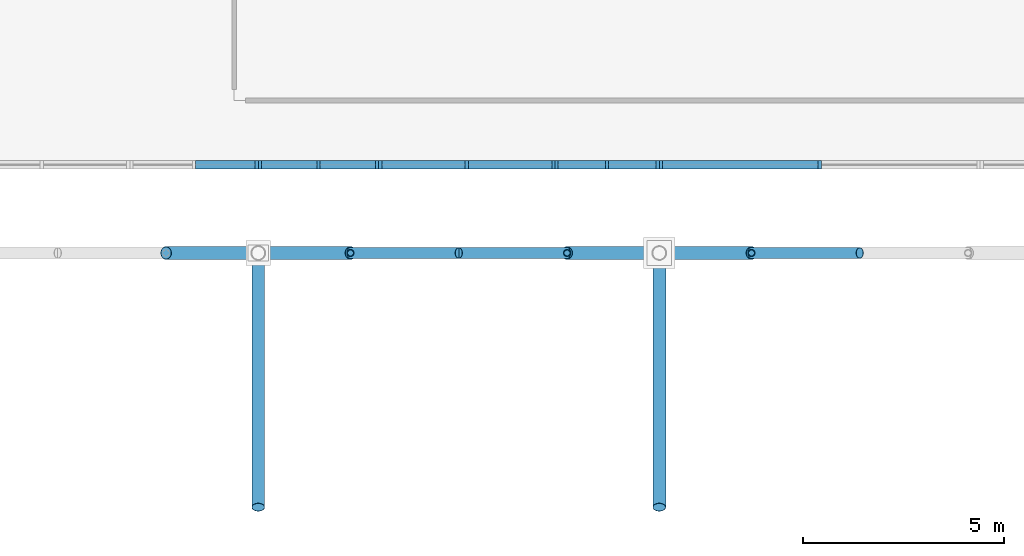
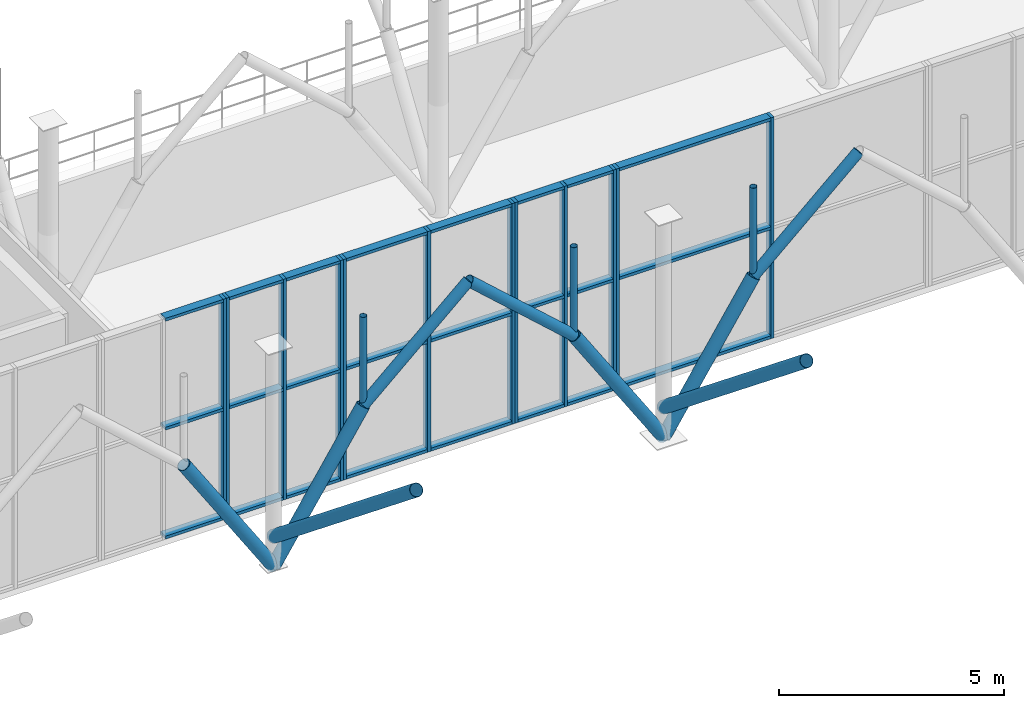
# One storey, part 35 of 109: 48 members, 5 elements without a shape of their own.
"""IFC4 building model written with IfcOpenShell, lengths in metres."""

from ifc_helpers import new_model, si_unit, derived_unit, direction, frame, origin, origin_2d_with_axis, place, context, subcontext, project, spatial, rectangle, hollow_circle, extrude, material, material_profile, profile_set, type_object, element, aggregate, save


model = new_model("IFC4")

# Units and contexts
model_context = context("Model", 3, precision=1e-05, world=origin(), true_north=direction((0.0, 1.0)))
body_context = subcontext(model_context, "Body", "Model", "MODEL_VIEW")
ifc_project = project(units=[si_unit("LENGTHUNIT", "METRE"), si_unit("AREAUNIT", "SQUARE_METRE"), si_unit("VOLUMEUNIT", "CUBIC_METRE"), si_unit("PLANEANGLEUNIT", "RADIAN"), si_unit("MASSUNIT", "GRAM", prefix="KILO"), derived_unit("THERMALTRANSMITTANCEUNIT", [(si_unit("POWERUNIT", "WATT"), 1), (si_unit("LENGTHUNIT", "METRE"), -2), (si_unit("THERMODYNAMICTEMPERATUREUNIT", "KELVIN"), -1)])], contexts=[model_context])

# Site, building, storey
site_placement = place(None, origin())
site = spatial("IfcSite", under=ifc_project, at=site_placement, CompositionType="ELEMENT")
building_placement = place(site_placement, origin())
building = spatial("IfcBuilding", under=site, at=building_placement, Name="Cinnabar Yard Market Hall", CompositionType="ELEMENT")
storey_placement = place(building_placement, frame((0.0, 0.0, 8.39990234375)))
storey = spatial("IfcBuildingStorey", under=building, at=storey_placement, Name="L02", CompositionType="ELEMENT", Elevation=8.39990234375)

# Curtain wall, member
ifc_material_1 = material(Name="Anodised bronze aluminium and low-E glass", Category="aluminium")
curtain_wall_type_1 = type_object("IfcCurtainWallType", Name="CW-CWH032x60", PredefinedType="NOTDEFINED", material=ifc_material_1)
curtain_wall_1_placement = place(storey_placement, origin())
curtain_wall_1 = element("IfcCurtainWall", 1, at=curtain_wall_1_placement, inside=storey, type_object=curtain_wall_type_1, Name="Market Hall South Upper Clerestory B1B", PredefinedType="NOTDEFINED")
ifc_material_2 = material(Name="Anodised bronze aluminium", Category="aluminium")
ifc_material_profile_1 = material_profile(ifc_material_2, rectangle(XDim=0.219970703125, YDim=0.080078125, at=origin_2d_with_axis()), Name="MUL-CWH")
ifc_profile_set_1 = profile_set([ifc_material_profile_1], Name="Anodised bronze aluminium")
member_type_1 = type_object("IfcMemberType", Name="CWM-CWH", PredefinedType="MULLION", material=ifc_profile_set_1)
member_1_placement = place(storey_placement, frame((95.9599609375, 16.199951171875, 0.0), z_axis=(0.0, 0.0, 1.0), x_axis=(0.0, 1.0, 0.0)))
member_1 = element("IfcMember", 2, at=member_1_placement, type_object=member_type_1, Name="CWH032x60 mullion 3", PredefinedType="MULLION", context=body_context, shape_type="SweptSolid", body=[
    extrude(rectangle(XDim=0.219970703125, YDim=0.080078125, at=origin_2d_with_axis()), origin(), (0.0, 0.0, 1.0), 5.97998046875),
])

# Curtain wall, members
curtain_wall_type_2 = type_object("IfcCurtainWallType", Name="CW-CWH030x60", PredefinedType="NOTDEFINED", material=ifc_material_1)
curtain_wall_2_placement = place(storey_placement, origin())
curtain_wall_2 = element("IfcCurtainWall", 3, at=curtain_wall_2_placement, inside=storey, type_object=curtain_wall_type_2, Name="Market Hall South Upper Clerestory B2A", PredefinedType="NOTDEFINED")
member_2_placement = place(storey_placement, frame((96.0400390625, 16.199951171875, 0.0), z_axis=(0.0, 0.0, 1.0), x_axis=(0.0, 1.0, 0.0)))
member_2 = element("IfcMember", 4, at=member_2_placement, type_object=member_type_1, Name="CWH030x60 mullion 1", PredefinedType="MULLION", context=body_context, shape_type="SweptSolid", body=[
    extrude(rectangle(XDim=0.219970703125, YDim=0.080078125, at=origin_2d_with_axis()), origin(), (0.0, 0.0, 1.0), 5.97998046875),
])
member_3_placement = place(storey_placement, frame((97.5, 16.199951171875, 0.0), z_axis=(0.0, 0.0, 1.0), x_axis=(0.0, 1.0, 0.0)))
member_3 = element("IfcMember", 5, at=member_3_placement, type_object=member_type_1, Name="CWH030x60 mullion 2", PredefinedType="MULLION", context=body_context, shape_type="SweptSolid", body=[
    extrude(rectangle(XDim=0.219970703125, YDim=0.080078125, at=origin_2d_with_axis()), origin(), (0.0, 0.0, 1.0), 5.97998046875),
])
member_4_placement = place(storey_placement, frame((98.9599609375, 16.199951171875, 0.0), z_axis=(0.0, 0.0, 1.0), x_axis=(0.0, 1.0, 0.0)))
member_4 = element("IfcMember", 6, at=member_4_placement, type_object=member_type_1, Name="CWH030x60 mullion 3", PredefinedType="MULLION", context=body_context, shape_type="SweptSolid", body=[
    extrude(rectangle(XDim=0.219970703125, YDim=0.080078125, at=origin_2d_with_axis()), origin(), (0.0, 0.0, 1.0), 5.97998046875),
])

curtain_wall_type_3 = type_object("IfcCurtainWallType", Name="CW-CWH044x60", PredefinedType="NOTDEFINED", material=ifc_material_1)
curtain_wall_3_placement = place(storey_placement, origin())
curtain_wall_3 = element("IfcCurtainWall", 7, at=curtain_wall_3_placement, inside=storey, type_object=curtain_wall_type_3, Name="Market Hall South Upper Clerestory PTB2", PredefinedType="NOTDEFINED")
member_5_placement = place(storey_placement, frame((99.0400390625, 16.199951171875, 0.0), z_axis=(0.0, 0.0, 1.0), x_axis=(0.0, 1.0, 0.0)))
member_5 = element("IfcMember", 8, at=member_5_placement, type_object=member_type_1, Name="CWH044x60 mullion 1", PredefinedType="MULLION", context=body_context, shape_type="SweptSolid", body=[
    extrude(rectangle(XDim=0.219970703125, YDim=0.080078125, at=origin_2d_with_axis()), origin(), (0.0, 0.0, 1.0), 5.97998046875),
])
member_6_placement = place(storey_placement, frame((101.199951171875, 16.199951171875, 0.0), z_axis=(0.0, 0.0, 1.0), x_axis=(0.0, 1.0, 0.0)))
member_6 = element("IfcMember", 9, at=member_6_placement, type_object=member_type_1, Name="CWH044x60 mullion 2", PredefinedType="MULLION", context=body_context, shape_type="SweptSolid", body=[
    extrude(rectangle(XDim=0.219970703125, YDim=0.080078125, at=origin_2d_with_axis()), origin(), (0.0, 0.0, 1.0), 5.97998046875),
])
member_7_placement = place(storey_placement, frame((103.360107421875, 16.199951171875, 0.0), z_axis=(0.0, 0.0, 1.0), x_axis=(0.0, 1.0, 0.0)))
member_7 = element("IfcMember", 10, at=member_7_placement, type_object=member_type_1, Name="CWH044x60 mullion 3", PredefinedType="MULLION", context=body_context, shape_type="SweptSolid", body=[
    extrude(rectangle(XDim=0.219970703125, YDim=0.080078125, at=origin_2d_with_axis()), origin(), (0.0, 0.0, 1.0), 5.97998046875),
])

curtain_wall_type_4 = type_object("IfcCurtainWallType", Name="CW-CWH026x60", PredefinedType="NOTDEFINED", material=ifc_material_1)
curtain_wall_4_placement = place(storey_placement, origin())
curtain_wall_4 = element("IfcCurtainWall", 11, at=curtain_wall_4_placement, inside=storey, type_object=curtain_wall_type_4, Name="Market Hall South Upper Clerestory B2B", PredefinedType="NOTDEFINED")
member_8_placement = place(storey_placement, frame((103.43994140625, 16.199951171875, 0.0), z_axis=(0.0, 0.0, 1.0), x_axis=(0.0, 1.0, 0.0)))
member_8 = element("IfcMember", 12, at=member_8_placement, type_object=member_type_1, Name="CWH026x60 mullion 1", PredefinedType="MULLION", context=body_context, shape_type="SweptSolid", body=[
    extrude(rectangle(XDim=0.219970703125, YDim=0.080078125, at=origin_2d_with_axis()), origin(), (0.0, 0.0, 1.0), 5.97998046875),
])
member_9_placement = place(storey_placement, frame((104.699951171875, 16.199951171875, 0.0), z_axis=(0.0, 0.0, 1.0), x_axis=(0.0, 1.0, 0.0)))
member_9 = element("IfcMember", 13, at=member_9_placement, type_object=member_type_1, Name="CWH026x60 mullion 2", PredefinedType="MULLION", context=body_context, shape_type="SweptSolid", body=[
    extrude(rectangle(XDim=0.219970703125, YDim=0.080078125, at=origin_2d_with_axis()), origin(), (0.0, 0.0, 1.0), 5.97998046875),
])
member_10_placement = place(storey_placement, frame((105.9599609375, 16.199951171875, 0.0), z_axis=(0.0, 0.0, 1.0), x_axis=(0.0, 1.0, 0.0)))
member_10 = element("IfcMember", 14, at=member_10_placement, type_object=member_type_1, Name="CWH026x60 mullion 3", PredefinedType="MULLION", context=body_context, shape_type="SweptSolid", body=[
    extrude(rectangle(XDim=0.219970703125, YDim=0.080078125, at=origin_2d_with_axis()), origin(), (0.0, 0.0, 1.0), 5.97998046875),
])

curtain_wall_type_5 = type_object("IfcCurtainWallType", Name="CW-CWH080x60", PredefinedType="NOTDEFINED", material=ifc_material_1)
curtain_wall_5_placement = place(storey_placement, origin())
curtain_wall_5 = element("IfcCurtainWall", 15, at=curtain_wall_5_placement, inside=storey, type_object=curtain_wall_type_5, Name="Market Hall South Upper Clerestory B3", PredefinedType="NOTDEFINED")
member_11_placement = place(storey_placement, frame((106.0400390625, 16.199951171875, 0.0), z_axis=(0.0, 0.0, 1.0), x_axis=(0.0, 1.0, 0.0)))
member_11 = element("IfcMember", 16, at=member_11_placement, type_object=member_type_1, Name="CWH080x60 mullion 1", PredefinedType="MULLION", context=body_context, shape_type="SweptSolid", body=[
    extrude(rectangle(XDim=0.219970703125, YDim=0.080078125, at=origin_2d_with_axis()), origin(), (0.0, 0.0, 1.0), 5.97998046875),
])
member_12_placement = place(storey_placement, frame((110.0, 16.199951171875, 0.0), z_axis=(0.0, 0.0, 1.0), x_axis=(0.0, 1.0, 0.0)))
member_12 = element("IfcMember", 17, at=member_12_placement, type_object=member_type_1, Name="CWH080x60 mullion 2", PredefinedType="MULLION", context=body_context, shape_type="SweptSolid", body=[
    extrude(rectangle(XDim=0.219970703125, YDim=0.080078125, at=origin_2d_with_axis()), origin(), (0.0, 0.0, 1.0), 5.97998046875),
])

# Member
ifc_material_profile_2 = material_profile(ifc_material_2, rectangle(XDim=0.219970703125, YDim=0.080078125, at=origin_2d_with_axis()), Name="TRN-CWH")
ifc_profile_set_2 = profile_set([ifc_material_profile_2], Name="Anodised bronze aluminium")
member_type_2 = type_object("IfcMemberType", Name="CWT-CWH", PredefinedType="USERDEFINED", material=ifc_profile_set_2)
member_13_placement = place(storey_placement, frame((94.43994140625, 16.199951171875, 0.0400390625), z_axis=(1.0, 0.0, 0.0), x_axis=(0.0, 1.0, 0.0)))
member_13 = element("IfcMember", 18, at=member_13_placement, type_object=member_type_2, Name="CWH032x60 transom 2.1", ObjectType="TRANSOM", PredefinedType="USERDEFINED", context=body_context, shape_type="SweptSolid", body=[
    extrude(rectangle(XDim=0.219970703125, YDim=0.080078125, at=origin_2d_with_axis()), origin(), (0.0, 0.0, 1.0), 1.47998046875),
])

member_14_placement = place(storey_placement, frame((94.43994140625, 16.199951171875, 2.989990234375), z_axis=(1.0, 0.0, 0.0), x_axis=(0.0, 1.0, 0.0)))
member_14 = element("IfcMember", 19, at=member_14_placement, type_object=member_type_2, Name="CWH032x60 transom 2.2", ObjectType="TRANSOM", PredefinedType="USERDEFINED", context=body_context, shape_type="SweptSolid", body=[
    extrude(rectangle(XDim=0.219970703125, YDim=0.080078125, at=origin_2d_with_axis()), origin(), (0.0, 0.0, 1.0), 1.47998046875),
])

member_15_placement = place(storey_placement, frame((94.43994140625, 16.199951171875, 5.940185546875), z_axis=(1.0, 0.0, 0.0), x_axis=(0.0, 1.0, 0.0)))
member_15 = element("IfcMember", 20, at=member_15_placement, type_object=member_type_2, Name="CWH032x60 transom 2.3", ObjectType="TRANSOM", PredefinedType="USERDEFINED", context=body_context, shape_type="SweptSolid", body=[
    extrude(rectangle(XDim=0.219970703125, YDim=0.080078125, at=origin_2d_with_axis()), origin(), (0.0, 0.0, 1.0), 1.47998046875),
])

aggregate(curtain_wall_1, [member_1, member_13, member_14, member_15])

member_16_placement = place(storey_placement, frame((96.080078125, 16.199951171875, 0.0400390625), z_axis=(1.0, 0.0, 0.0), x_axis=(0.0, 1.0, 0.0)))
member_16 = element("IfcMember", 21, at=member_16_placement, type_object=member_type_2, Name="CWH030x60 transom 1.1", ObjectType="TRANSOM", PredefinedType="USERDEFINED", context=body_context, shape_type="SweptSolid", body=[
    extrude(rectangle(XDim=0.219970703125, YDim=0.080078125, at=origin_2d_with_axis()), origin(), (0.0, 0.0, 1.0), 1.3798828125),
])

member_17_placement = place(storey_placement, frame((96.080078125, 16.199951171875, 2.989990234375), z_axis=(1.0, 0.0, 0.0), x_axis=(0.0, 1.0, 0.0)))
member_17 = element("IfcMember", 22, at=member_17_placement, type_object=member_type_2, Name="CWH030x60 transom 1.2", ObjectType="TRANSOM", PredefinedType="USERDEFINED", context=body_context, shape_type="SweptSolid", body=[
    extrude(rectangle(XDim=0.219970703125, YDim=0.080078125, at=origin_2d_with_axis()), origin(), (0.0, 0.0, 1.0), 1.3798828125),
])

member_18_placement = place(storey_placement, frame((96.080078125, 16.199951171875, 5.940185546875), z_axis=(1.0, 0.0, 0.0), x_axis=(0.0, 1.0, 0.0)))
member_18 = element("IfcMember", 23, at=member_18_placement, type_object=member_type_2, Name="CWH030x60 transom 1.3", ObjectType="TRANSOM", PredefinedType="USERDEFINED", context=body_context, shape_type="SweptSolid", body=[
    extrude(rectangle(XDim=0.219970703125, YDim=0.080078125, at=origin_2d_with_axis()), origin(), (0.0, 0.0, 1.0), 1.3798828125),
])

member_19_placement = place(storey_placement, frame((97.5400390625, 16.199951171875, 0.0400390625), z_axis=(1.0, 0.0, 0.0), x_axis=(0.0, 1.0, 0.0)))
member_19 = element("IfcMember", 24, at=member_19_placement, type_object=member_type_2, Name="CWH030x60 transom 2.1", ObjectType="TRANSOM", PredefinedType="USERDEFINED", context=body_context, shape_type="SweptSolid", body=[
    extrude(rectangle(XDim=0.219970703125, YDim=0.080078125, at=origin_2d_with_axis()), origin(), (0.0, 0.0, 1.0), 1.3798828125),
])

member_20_placement = place(storey_placement, frame((97.5400390625, 16.199951171875, 2.989990234375), z_axis=(1.0, 0.0, 0.0), x_axis=(0.0, 1.0, 0.0)))
member_20 = element("IfcMember", 25, at=member_20_placement, type_object=member_type_2, Name="CWH030x60 transom 2.2", ObjectType="TRANSOM", PredefinedType="USERDEFINED", context=body_context, shape_type="SweptSolid", body=[
    extrude(rectangle(XDim=0.219970703125, YDim=0.080078125, at=origin_2d_with_axis()), origin(), (0.0, 0.0, 1.0), 1.3798828125),
])

member_21_placement = place(storey_placement, frame((97.5400390625, 16.199951171875, 5.940185546875), z_axis=(1.0, 0.0, 0.0), x_axis=(0.0, 1.0, 0.0)))
member_21 = element("IfcMember", 26, at=member_21_placement, type_object=member_type_2, Name="CWH030x60 transom 2.3", ObjectType="TRANSOM", PredefinedType="USERDEFINED", context=body_context, shape_type="SweptSolid", body=[
    extrude(rectangle(XDim=0.219970703125, YDim=0.080078125, at=origin_2d_with_axis()), origin(), (0.0, 0.0, 1.0), 1.3798828125),
])

aggregate(curtain_wall_2, [member_2, member_3, member_4, member_16, member_17, member_18, member_19, member_20, member_21])

member_22_placement = place(storey_placement, frame((99.080078125, 16.199951171875, 0.0400390625), z_axis=(1.0, 0.0, 0.0), x_axis=(0.0, 1.0, 0.0)))
member_22 = element("IfcMember", 27, at=member_22_placement, type_object=member_type_2, Name="CWH044x60 transom 1.1", ObjectType="TRANSOM", PredefinedType="USERDEFINED", context=body_context, shape_type="SweptSolid", body=[
    extrude(rectangle(XDim=0.219970703125, YDim=0.080078125, at=origin_2d_with_axis()), origin(), (0.0, 0.0, 1.0), 2.079833984375),
])

member_23_placement = place(storey_placement, frame((99.080078125, 16.199951171875, 2.989990234375), z_axis=(1.0, 0.0, 0.0), x_axis=(0.0, 1.0, 0.0)))
member_23 = element("IfcMember", 28, at=member_23_placement, type_object=member_type_2, Name="CWH044x60 transom 1.2", ObjectType="TRANSOM", PredefinedType="USERDEFINED", context=body_context, shape_type="SweptSolid", body=[
    extrude(rectangle(XDim=0.219970703125, YDim=0.080078125, at=origin_2d_with_axis()), origin(), (0.0, 0.0, 1.0), 2.079833984375),
])

member_24_placement = place(storey_placement, frame((99.080078125, 16.199951171875, 5.940185546875), z_axis=(1.0, 0.0, 0.0), x_axis=(0.0, 1.0, 0.0)))
member_24 = element("IfcMember", 29, at=member_24_placement, type_object=member_type_2, Name="CWH044x60 transom 1.3", ObjectType="TRANSOM", PredefinedType="USERDEFINED", context=body_context, shape_type="SweptSolid", body=[
    extrude(rectangle(XDim=0.219970703125, YDim=0.080078125, at=origin_2d_with_axis()), origin(), (0.0, 0.0, 1.0), 2.079833984375),
])

member_25_placement = place(storey_placement, frame((101.239990234375, 16.199951171875, 0.0400390625), z_axis=(1.0, 0.0, 0.0), x_axis=(0.0, 1.0, 0.0)))
member_25 = element("IfcMember", 30, at=member_25_placement, type_object=member_type_2, Name="CWH044x60 transom 2.1", ObjectType="TRANSOM", PredefinedType="USERDEFINED", context=body_context, shape_type="SweptSolid", body=[
    extrude(rectangle(XDim=0.219970703125, YDim=0.080078125, at=origin_2d_with_axis()), origin(), (0.0, 0.0, 1.0), 2.080078125),
])

member_26_placement = place(storey_placement, frame((101.239990234375, 16.199951171875, 2.989990234375), z_axis=(1.0, 0.0, 0.0), x_axis=(0.0, 1.0, 0.0)))
member_26 = element("IfcMember", 31, at=member_26_placement, type_object=member_type_2, Name="CWH044x60 transom 2.2", ObjectType="TRANSOM", PredefinedType="USERDEFINED", context=body_context, shape_type="SweptSolid", body=[
    extrude(rectangle(XDim=0.219970703125, YDim=0.080078125, at=origin_2d_with_axis()), origin(), (0.0, 0.0, 1.0), 2.080078125),
])

member_27_placement = place(storey_placement, frame((101.239990234375, 16.199951171875, 5.940185546875), z_axis=(1.0, 0.0, 0.0), x_axis=(0.0, 1.0, 0.0)))
member_27 = element("IfcMember", 32, at=member_27_placement, type_object=member_type_2, Name="CWH044x60 transom 2.3", ObjectType="TRANSOM", PredefinedType="USERDEFINED", context=body_context, shape_type="SweptSolid", body=[
    extrude(rectangle(XDim=0.219970703125, YDim=0.080078125, at=origin_2d_with_axis()), origin(), (0.0, 0.0, 1.0), 2.080078125),
])

aggregate(curtain_wall_3, [member_5, member_6, member_7, member_22, member_23, member_24, member_25, member_26, member_27])

member_28_placement = place(storey_placement, frame((103.47998046875, 16.199951171875, 0.0400390625), z_axis=(1.0, 0.0, 0.0), x_axis=(0.0, 1.0, 0.0)))
member_28 = element("IfcMember", 33, at=member_28_placement, type_object=member_type_2, Name="CWH026x60 transom 1.1", ObjectType="TRANSOM", PredefinedType="USERDEFINED", context=body_context, shape_type="SweptSolid", body=[
    extrude(rectangle(XDim=0.219970703125, YDim=0.080078125, at=origin_2d_with_axis()), origin(), (0.0, 0.0, 1.0), 1.179931640625),
])

member_29_placement = place(storey_placement, frame((103.47998046875, 16.199951171875, 2.989990234375), z_axis=(1.0, 0.0, 0.0), x_axis=(0.0, 1.0, 0.0)))
member_29 = element("IfcMember", 34, at=member_29_placement, type_object=member_type_2, Name="CWH026x60 transom 1.2", ObjectType="TRANSOM", PredefinedType="USERDEFINED", context=body_context, shape_type="SweptSolid", body=[
    extrude(rectangle(XDim=0.219970703125, YDim=0.080078125, at=origin_2d_with_axis()), origin(), (0.0, 0.0, 1.0), 1.179931640625),
])

member_30_placement = place(storey_placement, frame((103.47998046875, 16.199951171875, 5.940185546875), z_axis=(1.0, 0.0, 0.0), x_axis=(0.0, 1.0, 0.0)))
member_30 = element("IfcMember", 35, at=member_30_placement, type_object=member_type_2, Name="CWH026x60 transom 1.3", ObjectType="TRANSOM", PredefinedType="USERDEFINED", context=body_context, shape_type="SweptSolid", body=[
    extrude(rectangle(XDim=0.219970703125, YDim=0.080078125, at=origin_2d_with_axis()), origin(), (0.0, 0.0, 1.0), 1.179931640625),
])

member_31_placement = place(storey_placement, frame((104.739990234375, 16.199951171875, 0.0400390625), z_axis=(1.0, 0.0, 0.0), x_axis=(0.0, 1.0, 0.0)))
member_31 = element("IfcMember", 36, at=member_31_placement, type_object=member_type_2, Name="CWH026x60 transom 2.1", ObjectType="TRANSOM", PredefinedType="USERDEFINED", context=body_context, shape_type="SweptSolid", body=[
    extrude(rectangle(XDim=0.219970703125, YDim=0.080078125, at=origin_2d_with_axis()), origin(), (0.0, 0.0, 1.0), 1.179931640625),
])

member_32_placement = place(storey_placement, frame((104.739990234375, 16.199951171875, 2.989990234375), z_axis=(1.0, 0.0, 0.0), x_axis=(0.0, 1.0, 0.0)))
member_32 = element("IfcMember", 37, at=member_32_placement, type_object=member_type_2, Name="CWH026x60 transom 2.2", ObjectType="TRANSOM", PredefinedType="USERDEFINED", context=body_context, shape_type="SweptSolid", body=[
    extrude(rectangle(XDim=0.219970703125, YDim=0.080078125, at=origin_2d_with_axis()), origin(), (0.0, 0.0, 1.0), 1.179931640625),
])

member_33_placement = place(storey_placement, frame((104.739990234375, 16.199951171875, 5.940185546875), z_axis=(1.0, 0.0, 0.0), x_axis=(0.0, 1.0, 0.0)))
member_33 = element("IfcMember", 38, at=member_33_placement, type_object=member_type_2, Name="CWH026x60 transom 2.3", ObjectType="TRANSOM", PredefinedType="USERDEFINED", context=body_context, shape_type="SweptSolid", body=[
    extrude(rectangle(XDim=0.219970703125, YDim=0.080078125, at=origin_2d_with_axis()), origin(), (0.0, 0.0, 1.0), 1.179931640625),
])

aggregate(curtain_wall_4, [member_8, member_9, member_10, member_28, member_29, member_30, member_31, member_32, member_33])

member_34_placement = place(storey_placement, frame((106.080078125, 16.199951171875, 0.0400390625), z_axis=(1.0, 0.0, 0.0), x_axis=(0.0, 1.0, 0.0)))
member_34 = element("IfcMember", 39, at=member_34_placement, type_object=member_type_2, Name="CWH080x60 transom 1.1", ObjectType="TRANSOM", PredefinedType="USERDEFINED", context=body_context, shape_type="SweptSolid", body=[
    extrude(rectangle(XDim=0.219970703125, YDim=0.080078125, at=origin_2d_with_axis()), origin(), (0.0, 0.0, 1.0), 3.8798828125),
])

member_35_placement = place(storey_placement, frame((106.080078125, 16.199951171875, 2.989990234375), z_axis=(1.0, 0.0, 0.0), x_axis=(0.0, 1.0, 0.0)))
member_35 = element("IfcMember", 40, at=member_35_placement, type_object=member_type_2, Name="CWH080x60 transom 1.2", ObjectType="TRANSOM", PredefinedType="USERDEFINED", context=body_context, shape_type="SweptSolid", body=[
    extrude(rectangle(XDim=0.219970703125, YDim=0.080078125, at=origin_2d_with_axis()), origin(), (0.0, 0.0, 1.0), 3.8798828125),
])

member_36_placement = place(storey_placement, frame((106.080078125, 16.199951171875, 5.940185546875), z_axis=(1.0, 0.0, 0.0), x_axis=(0.0, 1.0, 0.0)))
member_36 = element("IfcMember", 41, at=member_36_placement, type_object=member_type_2, Name="CWH080x60 transom 1.3", ObjectType="TRANSOM", PredefinedType="USERDEFINED", context=body_context, shape_type="SweptSolid", body=[
    extrude(rectangle(XDim=0.219970703125, YDim=0.080078125, at=origin_2d_with_axis()), origin(), (0.0, 0.0, 1.0), 3.8798828125),
])

aggregate(curtain_wall_5, [member_11, member_12, member_34, member_35, member_36])

# Members
ifc_material_3 = material(Name="Spotted-gum glulam-clad steel Grade 350 (350 MPa)", Category="steel")
ifc_material_profile_3 = material_profile(ifc_material_3, hollow_circle(Radius=0.136474609375, WallThickness=0.00927734375, at=origin_2d_with_axis()), Name="273.1x9.3CHS")
ifc_profile_set_3 = profile_set([ifc_material_profile_3], Name="Spotted-gum glulam-clad steel Grade 350 (350 MPa)")
member_type_3 = type_object("IfcMemberType", Name="MB-AR01E", PredefinedType="USERDEFINED", material=ifc_profile_set_3)
for number, where, z_axis, x_axis, name in (
    (42, (98.300048828125, 14.0, 3.550048828125), (0.743297488271, 0.0, 0.668961018244), (0.0, 1.0, 0.0), "Pointed Arch Rib 0147"),
    (43, (108.300048828125, 14.0, 3.550048828125), (0.743297488271, 0.0, 0.668961018244), (0.0, 1.0, 0.0), "Pointed Arch Rib 0151"),
    (44, (103.699951171875, 14.0, 3.550048828125), (-0.743297488271, 0.0, 0.668961018244), (0.0, -1.0, 0.0), "Pointed Arch Rib 0152"),
):
    element("IfcMember", number, at=place(storey_placement, frame(where, z_axis=z_axis, x_axis=x_axis)), inside=storey, type_object=member_type_3, Name=name, ObjectType="ARCH RIB", PredefinedType="USERDEFINED", context=body_context, shape_type="SweptSolid", body=[
        extrude(hollow_circle(Radius=0.136474609375, WallThickness=0.00927734375, at=origin_2d_with_axis()), origin(), (0.0, 0.0, 1.0), 3.63232421875),
    ])
ifc_material_profile_4 = material_profile(ifc_material_3, hollow_circle(Radius=0.161865234375, WallThickness=0.009521484375, at=origin_2d_with_axis()), Name="323.9x9.5CHS")
ifc_profile_set_4 = profile_set([ifc_material_profile_4], Name="Spotted-gum glulam-clad steel Grade 350 (350 MPa)")
member_type_4 = type_object("IfcMemberType", Name="MB-ST01E", PredefinedType="STRUT", material=ifc_profile_set_4)
for number, where, z_axis, x_axis, name in (
    (45, (96.0, 14.0, 0.0), (0.543744165176, 0.0, 0.839251024925), (0.0, 1.0, 0.0), "Curved Branch Arm Lower 0147"),
    (46, (96.0, 14.0, 0.0), (-0.543744165176, 0.0, 0.839251024925), (0.0, -1.0, 0.0), "Curved Branch Arm Lower 0148"),
    (47, (106.0, 14.0, 0.0), (0.543744165176, 0.0, 0.839251024925), (0.0, 1.0, 0.0), "Curved Branch Arm Lower 0151"),
    (48, (106.0, 14.0, 0.0), (-0.543744165176, 0.0, 0.839251024925), (0.0, -1.0, 0.0), "Curved Branch Arm Lower 0152"),
):
    element("IfcMember", number, at=place(storey_placement, frame(where, z_axis=z_axis, x_axis=x_axis)), inside=storey, type_object=member_type_4, Name=name, PredefinedType="STRUT", context=body_context, shape_type="SweptSolid", body=[
        extrude(hollow_circle(Radius=0.161865234375, WallThickness=0.009521484375, at=origin_2d_with_axis()), origin(), (0.0, 0.0, 1.0), 4.22998046875),
    ])
for number, where, z_axis, x_axis, name in (
    (49, (96.0, 14.0, 0.800048828125), (0.0, -0.779185735248, 0.626793099824), (1.0, 0.0, 0.0), "South Chhajja Bracket Arm 96"),
    (50, (106.0, 14.0, 0.800048828125), (0.0, -0.779185735248, 0.626793099824), (1.0, 0.0, 0.0), "South Chhajja Bracket Arm 106"),
):
    element("IfcMember", number, at=place(storey_placement, frame(where, z_axis=z_axis, x_axis=x_axis)), inside=storey, type_object=member_type_4, Name=name, PredefinedType="STRUT", context=body_context, shape_type="SweptSolid", body=[
        extrude(hollow_circle(Radius=0.161865234375, WallThickness=0.009521484375, at=origin_2d_with_axis()), origin(), (0.0, 0.0, 1.0), 8.13671875),
    ])
ifc_material_4 = material(Name="Cold-formed steel C350L0", Category="steel")
ifc_material_profile_5 = material_profile(ifc_material_4, hollow_circle(Radius=0.084228515625, WallThickness=0.00634765625, at=origin_2d_with_axis()), Name="168.3x6.4CHS")
ifc_profile_set_5 = profile_set([ifc_material_profile_5], Name="Cold-formed steel C350L0")
member_type_5 = type_object("IfcMemberType", Name="MB-WB01E", PredefinedType="STRUT", material=ifc_profile_set_5)
for number, where, z_axis, x_axis, name in (
    (51, (98.300048828125, 14.0, 3.550048828125), (0.0, 0.0, 1.0), (1.0, 0.0, 0.0), "Arch Spandrel Post 0147"),
    (52, (108.300048828125, 14.0, 3.550048828125), (0.0, 0.0, 1.0), (1.0, 0.0, 0.0), "Arch Spandrel Post 0151"),
    (53, (103.699951171875, 14.0, 3.550048828125), (0.0, 0.0, 1.0), (1.0, 0.0, 0.0), "Arch Spandrel Post 0152"),
):
    element("IfcMember", number, at=place(storey_placement, frame(where, z_axis=z_axis, x_axis=x_axis)), inside=storey, type_object=member_type_5, Name=name, PredefinedType="STRUT", context=body_context, shape_type="SweptSolid", body=[
        extrude(hollow_circle(Radius=0.084228515625, WallThickness=0.00634765625, at=origin_2d_with_axis()), origin(), (0.0, 0.0, 1.0), 2.429931640625),
    ])

save(model, "model.ifc")
